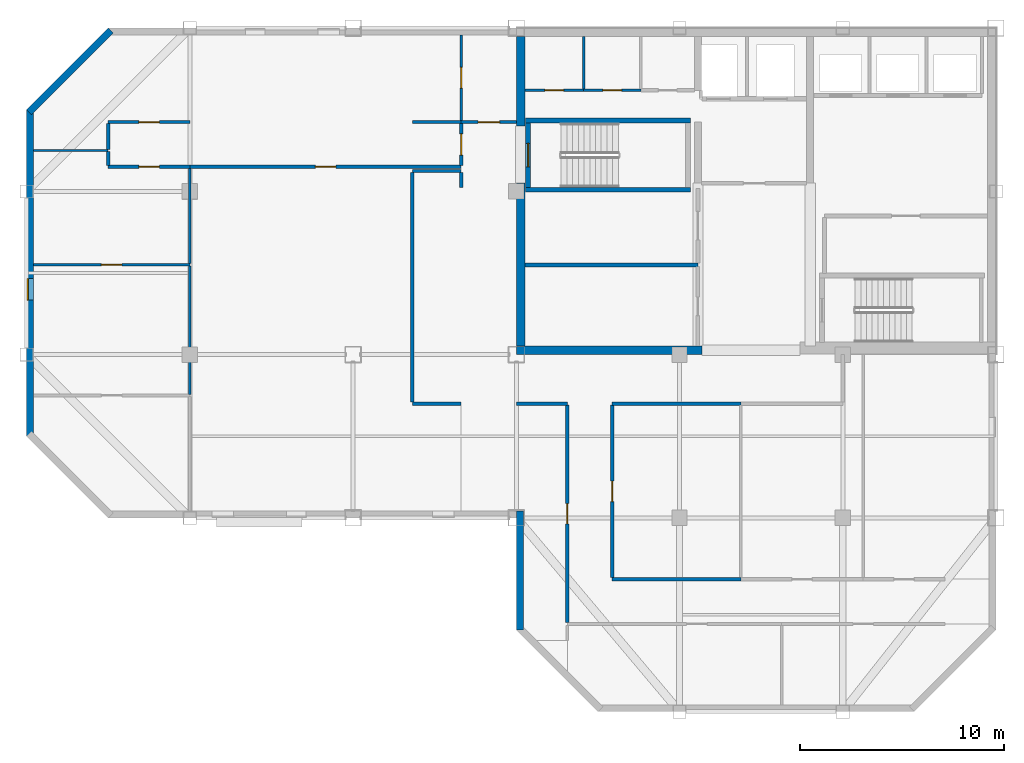
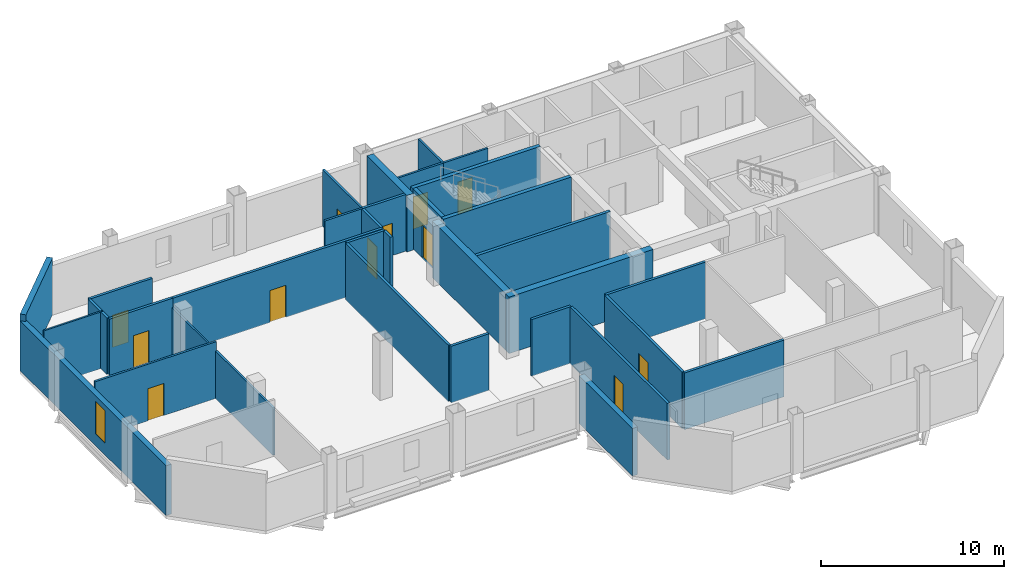
# One storey, part 2 of 7: 35 walls, 12 doors, 1 window, 13 openings.
"""IFC4 building model written with IfcOpenShell, lengths in metres."""

import ifcopenshell
import ifcopenshell.guid

model = None  # the IFC model being written
_history = None  # IfcOwnerHistory: only IFC2X3 demands one
_inside = {}  # id of a spatial element -> (the spatial element, [elements in it])
_under = {}  # id of a project, library or spatial element -> (it, [spatial elements below it])
_declared = {}  # id of a project -> (the project, [libraries it declares])
_typed = {}  # id of a type object -> (the type object, [elements of that type])
_made_of = {}  # id of a material, layer set ... -> (it, [elements and type objects made of it])


def new_model(schema):
    """Start an empty IFC model of exactly this schema.

    Asked for "IFC4X3", IfcOpenShell would pick the latest addendum, in which some entities
    have other attributes; the version numbers below select the first issue.
    IFC2X3 requires an IfcOwnerHistory on every rooted entity: one is made here for all.
    """
    global model, _history
    if schema == "IFC4X3":
        model = ifcopenshell.file(schema_version=(4, 3, 0, 0))
    else:
        model = ifcopenshell.file(schema=schema)
    _inside.clear()
    _under.clear()
    _declared.clear()
    _typed.clear()
    _made_of.clear()
    _history = None
    if model.schema == "IFC2X3":
        org = make("IfcOrganization", Name="unknown")
        user = make(
            "IfcPersonAndOrganization",
            ThePerson=make("IfcPerson", FamilyName="unknown"),
            TheOrganization=org,
        )
        app = make(
            "IfcApplication",
            ApplicationDeveloper=org,
            Version="unknown",
            ApplicationFullName="unknown",
            ApplicationIdentifier="unknown",
        )
        _history = make(
            "IfcOwnerHistory",
            OwningUser=user,
            OwningApplication=app,
            ChangeAction="ADDED",
            CreationDate=0,
        )
    return model


def make(cls, **values):
    """One entity of the class cls with the attributes given. An attribute that is None is left unset."""
    return model.create_entity(
        cls, **{name: value for name, value in values.items() if value is not None}
    )


def rooted(cls, **values):
    """An entity with a GlobalId (a new one), such as an element, a storey or a relation."""
    return make(cls, GlobalId=ifcopenshell.guid.new(), OwnerHistory=_history, **values)


def si_unit(unit_type, name, prefix=None):
    """IfcSIUnit, for example si_unit("LENGTHUNIT", "METRE", prefix="MILLI")."""
    return make("IfcSIUnit", UnitType=unit_type, Prefix=prefix, Name=name)


def assignment(units):
    """IfcUnitAssignment: the units of a project."""
    return None if units is None else make("IfcUnitAssignment", Units=units)


def point(xyz):
    """IfcCartesianPoint."""
    return None if xyz is None else make("IfcCartesianPoint", Coordinates=xyz)


def direction(xyz):
    """IfcDirection."""
    return None if xyz is None else make("IfcDirection", DirectionRatios=xyz)


def frame(location, z_axis=None, x_axis=None):
    """IfcAxis2Placement3D, a coordinate frame: its origin and axes. An axis left out is left unset."""
    return make(
        "IfcAxis2Placement3D",
        Location=point(location),
        Axis=direction(z_axis),
        RefDirection=direction(x_axis),
    )


def frame_2d(location, x_axis=None):
    """IfcAxis2Placement2D, a coordinate frame in the plane: its origin and x axis."""
    return make(
        "IfcAxis2Placement2D", Location=point(location), RefDirection=direction(x_axis)
    )


def origin():
    """The frame at (0, 0, 0) with its axes left unset."""
    return frame((0.0, 0.0, 0.0))


def place(relative_to, where):
    """IfcLocalPlacement: puts the frame where relative to a parent placement (None: the world)."""
    return make(
        "IfcLocalPlacement", PlacementRelTo=relative_to, RelativePlacement=where
    )


def context(
    kind, dimensions, precision=None, world=None, true_north=None, identifier=None
):
    """IfcGeometricRepresentationContext, for example the 3D "Model" context."""
    return make(
        "IfcGeometricRepresentationContext",
        ContextIdentifier=identifier,
        ContextType=kind,
        CoordinateSpaceDimension=dimensions,
        Precision=precision,
        WorldCoordinateSystem=world,
        TrueNorth=true_north,
    )


def subcontext(parent, identifier, kind, view, scale=None):
    """IfcGeometricRepresentationSubContext, for example "Body" below "Model"."""
    return make(
        "IfcGeometricRepresentationSubContext",
        ContextIdentifier=identifier,
        ContextType=kind,
        ParentContext=parent,
        TargetScale=scale,
        TargetView=view,
    )


def project(units=None, contexts=None):
    """IfcProject with its units and contexts."""
    return rooted(
        "IfcProject",
        Name="project",
        RepresentationContexts=contexts,
        UnitsInContext=assignment(units),
    )


def spatial(cls, under=None, at=None, **own):
    """A site, building, storey or space (cls), placed at a placement, below another one or the project."""
    s = rooted(cls, ObjectPlacement=at, **own)
    if under is not None:
        _under.setdefault(under.id(), (under, []))[1].append(s)
    return s


def profile(cls, at=None, kind="AREA", **sizes):
    """A parametric profile (cls). Its sizes go by their IFC names, for example OverallWidth=200.0."""
    return make(cls, ProfileType=kind, Position=at, **sizes)


def rectangle(**sizes):
    """IfcRectangleProfileDef."""
    return profile("IfcRectangleProfileDef", **sizes)


def extrude(swept, where, along, depth):
    """IfcExtrudedAreaSolid: the profile swept, set in the frame where, extruded along a direction by depth."""
    return make(
        "IfcExtrudedAreaSolid",
        SweptArea=swept,
        Position=where,
        ExtrudedDirection=direction(along),
        Depth=depth,
    )


def shape(context_of_items, identifier, shape_type, items):
    """IfcShapeRepresentation: the items that make up one representation, for example the "Body"."""
    return make(
        "IfcShapeRepresentation",
        ContextOfItems=context_of_items,
        RepresentationIdentifier=identifier,
        RepresentationType=shape_type,
        Items=items,
    )


def material(Name=None, Category=None):
    """IfcMaterial."""
    return make("IfcMaterial", Name=Name, Category=Category)


def layer(
    of_material, thickness, ventilated=None, Name=None, Category=None, Priority=None
):
    """IfcMaterialLayer: one layer of a wall or slab, of a material (None: an air gap)."""
    return make(
        "IfcMaterialLayer",
        Material=of_material,
        LayerThickness=thickness,
        IsVentilated=ventilated,
        Name=Name,
        Category=Category,
        Priority=Priority,
    )


def layer_set(layers, Name=None):
    """IfcMaterialLayerSet."""
    return make("IfcMaterialLayerSet", MaterialLayers=layers, LayerSetName=Name)


def made_of(thing, what):
    """Note that an element or type object is made of a material, layer set ...; save() writes the relation."""
    if what is not None:
        _made_of.setdefault(what.id(), (what, []))[1].append(thing)
    return thing


def type_object(cls, material=None, **own):
    """A type object (cls), such as IfcWallType, which elements share."""
    return made_of(rooted(cls, **own), material)


def element(
    cls,
    number,
    at=None,
    inside=None,
    cuts=None,
    type_object=None,
    material=None,
    context=None,
    identifier="Body",
    shape_type=None,
    held_by="IfcProductDefinitionShape",
    body=None,
    shapes=None,
    **own,
):
    """One element of the class cls, such as IfcWall. Its Tag is "e" and its number.

    at: its placement. inside: the storey or other place that contains it. cuts: it is an
    opening in that element (IfcRelVoidsElement). A single representation is given by context,
    identifier, shape_type and body (its items); several are given by shapes. held_by: the class
    of the entity that holds the representations. save() writes the other relations.
    """
    e = rooted(cls, Tag="e%d" % number, ObjectPlacement=at, **own)
    if body is not None:
        shapes = [shape(context, identifier, shape_type, body)]
    if shapes is not None:
        e.Representation = make(held_by, Representations=shapes)
    if inside is not None:
        _inside.setdefault(inside.id(), (inside, []))[1].append(e)
    if cuts is not None:
        rooted(
            "IfcRelVoidsElement", RelatingBuildingElement=cuts, RelatedOpeningElement=e
        )
    if type_object is not None:
        _typed.setdefault(type_object.id(), (type_object, []))[1].append(e)
    return made_of(e, material)


def fill(opening, filler):
    """IfcRelFillsElement: the door or window that sits in an opening."""
    return rooted(
        "IfcRelFillsElement",
        RelatingOpeningElement=opening,
        RelatedBuildingElement=filler,
    )


def aggregate(whole, parts):
    """IfcRelAggregates: a whole, such as a stair, and the parts it consists of."""
    return rooted("IfcRelAggregates", RelatingObject=whole, RelatedObjects=parts)


def save(model, path):
    """Write the relations noted so far, then the file.

    IfcRelAggregates (storeys below a building ...), IfcRelContainedInSpatialStructure (elements
    in a storey), IfcRelDefinesByType, IfcRelAssociatesMaterial and IfcRelDeclares: one each for
    every whole, place, type object, material and project.
    """
    for whole, parts in _under.values():
        aggregate(whole, parts)
    for where, things in _inside.values():
        rooted(
            "IfcRelContainedInSpatialStructure",
            RelatedElements=things,
            RelatingStructure=where,
        )
    for kind, things in _typed.values():
        rooted("IfcRelDefinesByType", RelatedObjects=things, RelatingType=kind)
    for what, things in _made_of.values():
        rooted("IfcRelAssociatesMaterial", RelatedObjects=things, RelatingMaterial=what)
    for by, libraries in _declared.values():
        rooted("IfcRelDeclares", RelatingContext=by, RelatedDefinitions=libraries)
    model.write(path)


model = new_model("IFC4")

# Units and contexts
model_context = context("Model", 3, precision=1e-05, world=origin(), true_north=direction((0.0, 1.0)))
body_context = subcontext(model_context, "Body", "Model", "MODEL_VIEW")
ifc_project = project(units=[si_unit("LENGTHUNIT", "METRE"), si_unit("AREAUNIT", "SQUARE_METRE"), si_unit("VOLUMEUNIT", "CUBIC_METRE"), si_unit("PLANEANGLEUNIT", "RADIAN"), si_unit("MASSUNIT", "GRAM", prefix="KILO")], contexts=[model_context])

# Site, building, storey
site_placement = place(None, origin())
site = spatial("IfcSite", under=ifc_project, at=site_placement, CompositionType="ELEMENT")
building_placement = place(site_placement, origin())
building = spatial("IfcBuilding", under=site, at=building_placement, Name="Qianrong Seaharbour Tower", CompositionType="ELEMENT")
storey_placement = place(building_placement, frame((0.0, 0.0, 335.199951171875)))
storey = spatial("IfcBuildingStorey", under=building, at=storey_placement, Name="L81", CompositionType="ELEMENT", Elevation=335.199951171875)

# Walls
ifc_material_1 = material(Name="Concrete C50/60", Category="concrete")
ifc_layer_1 = layer(ifc_material_1, 0.419921875)
ifc_layer_set_1 = layer_set([ifc_layer_1], Name="Concrete C50/60")
wall_type_1 = type_object("IfcWallType", Name="WALL-CORE-420", PredefinedType="SHEAR", material=ifc_layer_set_1)
wall_1_placement = place(storey_placement, frame((40.7099609375, 36.419921875, 0.0), z_axis=(0.0, 0.0, 1.0), x_axis=(0.0, 1.0, 0.0)))
element("IfcWall", 1, at=wall_1_placement, inside=storey, type_object=wall_type_1, Name="L81 West Core Shear Wall South", PredefinedType="SHEAR", context=body_context, shape_type="SweptSolid", body=[
    extrude(rectangle(XDim=7.97998046875, YDim=0.419921875, at=frame_2d((3.989990234375, 0.0))), origin(), (0.0, 0.0, 1.0), 3.78515625),
])
wall_2_placement = place(storey_placement, frame((40.7099609375, 47.199951171875, 0.0), z_axis=(0.0, 0.0, 1.0), x_axis=(0.0, 1.0, 0.0)))
element("IfcWall", 2, at=wall_2_placement, inside=storey, type_object=wall_type_1, Name="L81 West Core Shear Wall North", PredefinedType="SHEAR", context=body_context, shape_type="SweptSolid", body=[
    extrude(rectangle(XDim=4.380126953125, YDim=0.419921875, at=frame_2d((2.18994140625, 0.0))), origin(), (0.0, 0.0, 1.0), 3.78515625),
])
wall_3_placement = place(storey_placement, frame((40.5, 36.2099609375, 0.0), z_axis=(0.0, 0.0, 1.0), x_axis=(1.0, 0.0, 0.0)))
element("IfcWall", 3, at=wall_3_placement, inside=storey, type_object=wall_type_1, Name="L81 South Core Shear Wall S1", PredefinedType="SHEAR", context=body_context, shape_type="SweptSolid", body=[
    extrude(rectangle(XDim=9.10009765625, YDim=0.419921875, at=frame_2d((4.550048828125, 0.0))), origin(), (0.0, 0.0, 1.0), 3.78515625),
])

# Wall, opening, door
ifc_material_2 = material(Name="Fire-rated acoustic gypsum board partition")
ifc_layer_2 = layer(ifc_material_2, 0.1650390625)
ifc_layer_set_2 = layer_set([ifc_layer_2], Name="Fire-rated acoustic gypsum board partition")
wall_type_2 = type_object("IfcWallType", Name="WALL-CORR-PART-165", PredefinedType="PARTITIONING", material=ifc_layer_set_2)
wall_4_placement = place(storey_placement, frame((37.800048828125, 47.39990234375, 0.0), z_axis=(0.0, 0.0, 1.0), x_axis=(1.0, 0.0, 0.0)))
wall_4 = element("IfcWall", 4, at=wall_4_placement, inside=storey, type_object=wall_type_2, Name="L81 Interior Partition Wall 001", PredefinedType="PARTITIONING", context=body_context, shape_type="SweptSolid", body=[
    extrude(rectangle(XDim=2.699951171875, YDim=0.1650390625, at=frame_2d((1.35009765625, 0.0))), origin(), (0.0, 0.0, 1.0), 3.78515625),
])
opening_1_placement = place(wall_4_placement, frame((0.824951171875, 0.0, 0.0)))
opening_1 = element("IfcOpeningElement", 5, at=opening_1_placement, cuts=wall_4, Name="Opening DC-01", PredefinedType="OPENING", context=body_context, shape_type="SweptSolid", body=[
    extrude(rectangle(XDim=1.050048828125, YDim=2.14990234375, at=frame_2d((0.52490234375, 1.074951171875))), frame((0.0, 0.092529296875, 0.0), z_axis=(0.0, -1.0, 0.0), x_axis=(1.0, 0.0, 0.0)), (0.0, 0.0, 1.0), 0.18505859375),
])
ifc_material_3 = material(Name="Acoustic timber and galvanized steel fire door assembly", Category="steel")
door_type_1 = type_object("IfcDoorType", Name="DOOR-CORR-FD60-1050x2150", OperationType="NOTDEFINED", PredefinedType="DOOR", material=ifc_material_3)
door_1_placement = place(opening_1_placement, origin())
door_1 = element("IfcDoor", 6, at=door_1_placement, inside=storey, type_object=door_type_1, Name="L81 Smokeproof Stair Vestibule ST-1 Door", OperationType="SINGLE_SWING_RIGHT", OverallHeight=2.14990234375, OverallWidth=1.050048828125, PredefinedType="DOOR", context=body_context, shape_type="SweptSolid", body=[
    extrude(rectangle(XDim=1.050048828125, YDim=2.14990234375, at=frame_2d((0.52490234375, 1.074951171875))), frame((0.0, 0.02490234375, 0.0), z_axis=(0.0, -1.0, 0.0), x_axis=(1.0, 0.0, 0.0)), (0.0, 0.0, 1.0), 0.050048828125),
])
fill(opening_1, door_1)

wall_5_placement = place(storey_placement, frame((37.800048828125, 45.2744140625, 0.0), z_axis=(0.0, 0.0, 1.0), x_axis=(0.0, 1.0, 0.0)))
wall_5 = element("IfcWall", 7, at=wall_5_placement, inside=storey, type_object=wall_type_2, Name="L81 Interior Partition Wall 002", PredefinedType="PARTITIONING", context=body_context, shape_type="SweptSolid", body=[
    extrude(rectangle(XDim=2.051025390625, YDim=0.1650390625, at=frame_2d((1.025390625, 0.0))), origin(), (0.0, 0.0, 1.0), 3.78515625),
])
opening_2_placement = place(wall_5_placement, frame((0.50048828125, 0.0, 0.0)))
opening_2 = element("IfcOpeningElement", 8, at=opening_2_placement, cuts=wall_5, Name="Opening DC-01", PredefinedType="OPENING", context=body_context, shape_type="SweptSolid", body=[
    extrude(rectangle(XDim=1.050048828125, YDim=2.14990234375, at=frame_2d((0.52490234375, 1.074951171875))), frame((0.0, 0.092529296875, 0.0), z_axis=(0.0, -1.0, 0.0), x_axis=(1.0, 0.0, 0.0)), (0.0, 0.0, 1.0), 0.18505859375),
])
door_2_placement = place(opening_2_placement, origin())
door_2 = element("IfcDoor", 9, at=door_2_placement, inside=storey, type_object=door_type_1, Name="L81 Smokeproof Stair Vestibule ST-1 Door", OperationType="SINGLE_SWING_LEFT", OverallHeight=2.14990234375, OverallWidth=1.050048828125, PredefinedType="DOOR", context=body_context, shape_type="SweptSolid", body=[
    extrude(rectangle(XDim=1.050048828125, YDim=2.14990234375, at=frame_2d((0.52490234375, 1.074951171875))), frame((0.0, 0.02490234375, 0.0), z_axis=(0.0, -1.0, 0.0), x_axis=(1.0, 0.0, 0.0)), (0.0, 0.0, 1.0), 0.050048828125),
])
fill(opening_2, door_2)

# Wall
wall_6_placement = place(storey_placement, frame((37.800048828125, 44.199951171875, 0.0), z_axis=(0.0, 0.0, 1.0), x_axis=(0.0, 1.0, 0.0)))
element("IfcWall", 10, at=wall_6_placement, inside=storey, type_object=wall_type_2, Name="L81 Interior Partition Wall 003", PredefinedType="PARTITIONING", context=body_context, shape_type="SweptSolid", body=[
    extrude(rectangle(XDim=0.7255859375, YDim=0.1650390625, at=frame_2d((0.36279296875, 0.0))), origin(), (0.0, 0.0, 1.0), 3.78515625),
])

# Wall, opening, door
wall_7_placement = place(storey_placement, frame((37.800048828125, 45.199951171875, 0.0), z_axis=(0.0, 0.0, 1.0), x_axis=(-1.0, 0.0, 0.0)))
wall_7 = element("IfcWall", 11, at=wall_7_placement, inside=storey, type_object=wall_type_2, Name="L81 Interior Partition Wall 017", PredefinedType="PARTITIONING", context=body_context, shape_type="SweptSolid", body=[
    extrude(rectangle(XDim=13.300048828125, YDim=0.1650390625, at=frame_2d((6.64990234375, 0.0))), origin(), (0.0, 0.0, 1.0), 3.78515625),
])
opening_3_placement = place(wall_7_placement, frame((6.14990234375, 0.0, 0.0)))
opening_3 = element("IfcOpeningElement", 12, at=opening_3_placement, cuts=wall_7, Name="Opening DO-01", PredefinedType="OPENING", context=body_context, shape_type="SweptSolid", body=[
    extrude(rectangle(XDim=1.0, YDim=2.14990234375, at=frame_2d((0.5, 1.074951171875))), frame((0.0, 0.092529296875, 0.0), z_axis=(0.0, -1.0, 0.0), x_axis=(1.0, 0.0, 0.0)), (0.0, 0.0, 1.0), 0.18505859375),
])
door_type_2 = type_object("IfcDoorType", Name="DOOR-OFFICE-1000x2150", OperationType="NOTDEFINED", PredefinedType="DOOR", material=ifc_material_3)
door_3_placement = place(opening_3_placement, origin())
door_3 = element("IfcDoor", 13, at=door_3_placement, inside=storey, type_object=door_type_2, Name="L81 Central Spine Open-Plan Office Door", OperationType="SINGLE_SWING_RIGHT", OverallHeight=2.14990234375, OverallWidth=1.0, PredefinedType="DOOR", context=body_context, shape_type="SweptSolid", body=[
    extrude(rectangle(XDim=1.0, YDim=2.14990234375, at=frame_2d((0.5, 1.074951171875))), frame((0.0, 0.02490234375, 0.0), z_axis=(0.0, -1.0, 0.0), x_axis=(1.0, 0.0, 0.0)), (0.0, 0.0, 1.0), 0.050048828125),
])
fill(opening_3, door_3)

wall_8_placement = place(storey_placement, frame((24.5, 45.199951171875, 0.0), z_axis=(0.0, 0.0, 1.0), x_axis=(-1.0, 0.0, 0.0)))
wall_8 = element("IfcWall", 14, at=wall_8_placement, inside=storey, type_object=wall_type_2, Name="L81 Interior Partition Wall 018", PredefinedType="PARTITIONING", context=body_context, shape_type="SweptSolid", body=[
    extrude(rectangle(XDim=4.0, YDim=0.1650390625, at=frame_2d((2.0, 0.0))), origin(), (0.0, 0.0, 1.0), 3.78515625),
])
opening_4_placement = place(wall_8_placement, frame((1.5, 0.0, 0.0)))
opening_4 = element("IfcOpeningElement", 15, at=opening_4_placement, cuts=wall_8, Name="Opening DO-01", PredefinedType="OPENING", context=body_context, shape_type="SweptSolid", body=[
    extrude(rectangle(XDim=1.0, YDim=2.14990234375, at=frame_2d((0.5, 1.074951171875))), frame((0.0, 0.092529296875, 0.0), z_axis=(0.0, -1.0, 0.0), x_axis=(1.0, 0.0, 0.0)), (0.0, 0.0, 1.0), 0.18505859375),
])
door_4_placement = place(opening_4_placement, origin())
door_4 = element("IfcDoor", 16, at=door_4_placement, inside=storey, type_object=door_type_2, Name="L81 Hospitality Dining Room 3 Door", OperationType="SINGLE_SWING_LEFT", OverallHeight=2.14990234375, OverallWidth=1.0, PredefinedType="DOOR", context=body_context, shape_type="SweptSolid", body=[
    extrude(rectangle(XDim=1.0, YDim=2.14990234375, at=frame_2d((0.5, 1.074951171875))), frame((0.0, 0.02490234375, 0.0), z_axis=(0.0, -1.0, 0.0), x_axis=(1.0, 0.0, 0.0)), (0.0, 0.0, 1.0), 0.050048828125),
])
fill(opening_4, door_4)

# Walls
wall_9_placement = place(storey_placement, frame((20.5, 45.2744140625, 0.0), z_axis=(0.0, 0.0, 1.0), x_axis=(0.0, 1.0, 0.0)))
element("IfcWall", 17, at=wall_9_placement, inside=storey, type_object=wall_type_2, Name="L81 Interior Partition Wall 019", PredefinedType="PARTITIONING", context=body_context, shape_type="SweptSolid", body=[
    extrude(rectangle(XDim=0.678466796875, YDim=0.1650390625, at=frame_2d((0.33935546875, 0.0))), origin(), (0.0, 0.0, 1.0), 3.78515625),
])
wall_10_placement = place(storey_placement, frame((20.5, 46.047119140625, 0.0), z_axis=(0.0, 0.0, 1.0), x_axis=(0.0, 1.0, 0.0)))
element("IfcWall", 18, at=wall_10_placement, inside=storey, type_object=wall_type_2, Name="L81 Interior Partition Wall 020", PredefinedType="PARTITIONING", context=body_context, shape_type="SweptSolid", body=[
    extrude(rectangle(XDim=1.2783203125, YDim=0.1650390625, at=frame_2d((0.63916015625, 0.0))), origin(), (0.0, 0.0, 1.0), 3.78515625),
])

# Wall, opening, door
wall_11_placement = place(storey_placement, frame((20.5, 47.39990234375, 0.0), z_axis=(0.0, 0.0, 1.0), x_axis=(1.0, 0.0, 0.0)))
wall_11 = element("IfcWall", 19, at=wall_11_placement, inside=storey, type_object=wall_type_2, Name="L81 Interior Partition Wall 021", PredefinedType="PARTITIONING", context=body_context, shape_type="SweptSolid", body=[
    extrude(rectangle(XDim=4.0, YDim=0.1650390625, at=frame_2d((2.0, 0.0))), origin(), (0.0, 0.0, 1.0), 3.78515625),
])
opening_5_placement = place(wall_11_placement, frame((1.5, 0.0, 0.0)))
opening_5 = element("IfcOpeningElement", 20, at=opening_5_placement, cuts=wall_11, Name="Opening DO-01", PredefinedType="OPENING", context=body_context, shape_type="SweptSolid", body=[
    extrude(rectangle(XDim=1.0, YDim=2.14990234375, at=frame_2d((0.5, 1.074951171875))), frame((0.0, 0.092529296875, 0.0), z_axis=(0.0, -1.0, 0.0), x_axis=(1.0, 0.0, 0.0)), (0.0, 0.0, 1.0), 0.18505859375),
])
door_5_placement = place(opening_5_placement, origin())
door_5 = element("IfcDoor", 21, at=door_5_placement, inside=storey, type_object=door_type_2, Name="L81 Quiet Sitting Lounge 4 Door", OperationType="SINGLE_SWING_RIGHT", OverallHeight=2.14990234375, OverallWidth=1.0, PredefinedType="DOOR", context=body_context, shape_type="SweptSolid", body=[
    extrude(rectangle(XDim=1.0, YDim=2.14990234375, at=frame_2d((0.5, 1.074951171875))), frame((0.0, 0.02490234375, 0.0), z_axis=(0.0, -1.0, 0.0), x_axis=(1.0, 0.0, 0.0)), (0.0, 0.0, 1.0), 0.050048828125),
])
fill(opening_5, door_5)

# Walls
wall_12_placement = place(storey_placement, frame((37.800048828125, 33.60009765625, 0.0), z_axis=(0.0, 0.0, 1.0), x_axis=(-1.0, 0.0, 0.0)))
element("IfcWall", 22, at=wall_12_placement, inside=storey, type_object=wall_type_2, Name="L81 Interior Partition Wall 022", PredefinedType="PARTITIONING", context=body_context, shape_type="SweptSolid", body=[
    extrude(rectangle(XDim=2.400146484375, YDim=0.1650390625, at=frame_2d((1.2001953125, 0.0))), origin(), (0.0, 0.0, 1.0), 3.78515625),
])
wall_13_placement = place(storey_placement, frame((35.39990234375, 33.674560546875, 0.0), z_axis=(0.0, 0.0, 1.0), x_axis=(0.0, 1.0, 0.0)))
element("IfcWall", 23, at=wall_13_placement, inside=storey, type_object=wall_type_2, Name="L81 Interior Partition Wall 023", PredefinedType="PARTITIONING", context=body_context, shape_type="SweptSolid", body=[
    extrude(rectangle(XDim=11.2509765625, YDim=0.1650390625, at=frame_2d((5.62548828125, 0.0))), origin(), (0.0, 0.0, 1.0), 3.78515625),
])
wall_14_placement = place(storey_placement, frame((35.39990234375, 45.0, 0.0), z_axis=(0.0, 0.0, 1.0), x_axis=(1.0, 0.0, 0.0)))
element("IfcWall", 24, at=wall_14_placement, inside=storey, type_object=wall_type_2, Name="L81 Interior Partition Wall 024", PredefinedType="PARTITIONING", context=body_context, shape_type="SweptSolid", body=[
    extrude(rectangle(XDim=2.400146484375, YDim=0.1650390625, at=frame_2d((1.2001953125, 0.0))), origin(), (0.0, 0.0, 1.0), 3.78515625),
])
wall_15_placement = place(storey_placement, frame((51.5, 33.60009765625, 0.0), z_axis=(0.0, 0.0, 1.0), x_axis=(-1.0, 0.0, 0.0)))
element("IfcWall", 25, at=wall_15_placement, inside=storey, type_object=wall_type_2, Name="L81 Interior Partition Wall 025", PredefinedType="PARTITIONING", context=body_context, shape_type="SweptSolid", body=[
    extrude(rectangle(XDim=6.300048828125, YDim=0.1650390625, at=frame_2d((3.14990234375, 0.0))), origin(), (0.0, 0.0, 1.0), 3.78515625),
])
wall_16_placement = place(storey_placement, frame((43.0, 33.60009765625, 0.0), z_axis=(0.0, 0.0, 1.0), x_axis=(-1.0, 0.0, 0.0)))
element("IfcWall", 26, at=wall_16_placement, inside=storey, type_object=wall_type_2, Name="L81 Interior Partition Wall 028", PredefinedType="PARTITIONING", context=body_context, shape_type="SweptSolid", body=[
    extrude(rectangle(XDim=2.5, YDim=0.1650390625, at=frame_2d((1.25, 0.0))), origin(), (0.0, 0.0, 1.0), 3.78515625),
])

# Wall, opening, door
wall_17_placement = place(storey_placement, frame((45.199951171875, 33.525390625, 0.0), z_axis=(0.0, 0.0, 1.0), x_axis=(0.0, -1.0, 0.0)))
wall_17 = element("IfcWall", 27, at=wall_17_placement, inside=storey, type_object=wall_type_2, Name="L81 Interior Partition Wall 029", PredefinedType="PARTITIONING", context=body_context, shape_type="SweptSolid", body=[
    extrude(rectangle(XDim=8.450927734375, YDim=0.1650390625, at=frame_2d((4.2255859375, 0.0))), origin(), (0.0, 0.0, 1.0), 3.78515625),
])
opening_6_placement = place(wall_17_placement, frame((3.7255859375, 0.0, 0.0)))
opening_6 = element("IfcOpeningElement", 28, at=opening_6_placement, cuts=wall_17, Name="Opening DO-01", PredefinedType="OPENING", context=body_context, shape_type="SweptSolid", body=[
    extrude(rectangle(XDim=1.0, YDim=2.14990234375, at=frame_2d((0.5, 1.074951171875))), frame((0.0, 0.092529296875, 0.0), z_axis=(0.0, -1.0, 0.0), x_axis=(1.0, 0.0, 0.0)), (0.0, 0.0, 1.0), 0.18505859375),
])
door_6_placement = place(opening_6_placement, origin())
door_6 = element("IfcDoor", 29, at=door_6_placement, inside=storey, type_object=door_type_2, Name="L81 East Harbour Dining Salon 1 Door", OperationType="SINGLE_SWING_LEFT", OverallHeight=2.14990234375, OverallWidth=1.0, PredefinedType="DOOR", context=body_context, shape_type="SweptSolid", body=[
    extrude(rectangle(XDim=1.0, YDim=2.14990234375, at=frame_2d((0.5, 1.074951171875))), frame((0.0, 0.02490234375, 0.0), z_axis=(0.0, -1.0, 0.0), x_axis=(1.0, 0.0, 0.0)), (0.0, 0.0, 1.0), 0.050048828125),
])
fill(opening_6, door_6)

wall_18_placement = place(storey_placement, frame((43.0, 22.87451171875, 0.0), z_axis=(0.0, 0.0, 1.0), x_axis=(0.0, 1.0, 0.0)))
wall_18 = element("IfcWall", 30, at=wall_18_placement, inside=storey, type_object=wall_type_2, Name="L81 Interior Partition Wall 030", PredefinedType="PARTITIONING", context=body_context, shape_type="SweptSolid", body=[
    extrude(rectangle(XDim=10.65087890625, YDim=0.1650390625, at=frame_2d((5.325439453125, 0.0))), origin(), (0.0, 0.0, 1.0), 3.78515625),
])
opening_7_placement = place(wall_18_placement, frame((4.825439453125, 0.0, 0.0)))
opening_7 = element("IfcOpeningElement", 31, at=opening_7_placement, cuts=wall_18, Name="Opening DO-01", PredefinedType="OPENING", context=body_context, shape_type="SweptSolid", body=[
    extrude(rectangle(XDim=1.0, YDim=2.14990234375, at=frame_2d((0.5, 1.074951171875))), frame((0.0, 0.092529296875, 0.0), z_axis=(0.0, -1.0, 0.0), x_axis=(1.0, 0.0, 0.0)), (0.0, 0.0, 1.0), 0.18505859375),
])
door_7_placement = place(opening_7_placement, origin())
door_7 = element("IfcDoor", 32, at=door_7_placement, inside=storey, type_object=door_type_2, Name="L81 Concierge Office 2 Door", OperationType="SINGLE_SWING_RIGHT", OverallHeight=2.14990234375, OverallWidth=1.0, PredefinedType="DOOR", context=body_context, shape_type="SweptSolid", body=[
    extrude(rectangle(XDim=1.0, YDim=2.14990234375, at=frame_2d((0.5, 1.074951171875))), frame((0.0, 0.02490234375, 0.0), z_axis=(0.0, -1.0, 0.0), x_axis=(1.0, 0.0, 0.0)), (0.0, 0.0, 1.0), 0.050048828125),
])
fill(opening_7, door_7)

# Walls
wall_19_placement = place(storey_placement, frame((45.199951171875, 25.0, 0.0), z_axis=(0.0, 0.0, 1.0), x_axis=(1.0, 0.0, 0.0)))
element("IfcWall", 33, at=wall_19_placement, inside=storey, type_object=wall_type_2, Name="L81 Interior Partition Wall 032", PredefinedType="PARTITIONING", context=body_context, shape_type="SweptSolid", body=[
    extrude(rectangle(XDim=6.300048828125, YDim=0.1650390625, at=frame_2d((3.14990234375, 0.0))), origin(), (0.0, 0.0, 1.0), 3.78515625),
])
ifc_material_4 = material(Name="Demountable aluminium-framed acoustic office partition", Category="aluminium")
ifc_layer_3 = layer(ifc_material_4, 0.110107421875)
ifc_layer_set_3 = layer_set([ifc_layer_3], Name="Demountable aluminium-framed acoustic office partition")
wall_type_3 = type_object("IfcWallType", Name="WALL-DEMOUNT-110", PredefinedType="MOVABLE", material=ifc_layer_set_3)
wall_20_placement = place(storey_placement, frame((24.5, 40.45703125, 0.0), z_axis=(0.0, 0.0, 1.0), x_axis=(0.0, 1.0, 0.0)))
element("IfcWall", 34, at=wall_20_placement, inside=storey, type_object=wall_type_3, Name="L81 Interior Partition Wall 039", PredefinedType="MOVABLE", context=body_context, shape_type="SweptSolid", body=[
    extrude(rectangle(XDim=4.66845703125, YDim=0.110107421875, at=frame_2d((2.334228515625, 0.0))), origin(), (0.0, 0.0, 1.0), 3.177001953125),
])
wall_21_placement = place(storey_placement, frame((16.83203125, 46.0, 0.0), z_axis=(0.0, 0.0, 1.0), x_axis=(1.0, 0.0, 0.0)))
element("IfcWall", 35, at=wall_21_placement, inside=storey, type_object=wall_type_3, Name="L81 Interior Partition Wall 042", PredefinedType="MOVABLE", context=body_context, shape_type="SweptSolid", body=[
    extrude(rectangle(XDim=3.66796875, YDim=0.110107421875, at=frame_2d((1.833984375, 0.0))), origin(), (0.0, 0.0, 1.0), 3.78515625),
])
ifc_material_5 = material(Name="Unitised buff brick on Precast concrete C45/55", Category="masonry")
ifc_layer_4 = layer(ifc_material_5, 0.340087890625)
ifc_layer_set_4 = layer_set([ifc_layer_4], Name="Unitised buff brick on Precast concrete C45/55")
wall_type_4 = type_object("IfcWallType", Name="WALL-EXT-BRICK-BUFF-340", PredefinedType="SOLIDWALL", material=ifc_layer_set_4)
wall_22_placement = place(storey_placement, frame((40.669921875, 22.5, 0.0), z_axis=(0.0, 0.0, 1.0), x_axis=(0.0, 1.0, 0.0)))
element("IfcWall", 36, at=wall_22_placement, inside=storey, type_object=wall_type_4, Name="L81 Exterior Masonry Facade Wall REENTRANT_WEST", PredefinedType="SOLIDWALL", context=body_context, shape_type="SweptSolid", body=[
    extrude(rectangle(XDim=5.840087890625, YDim=0.340087890625, at=frame_2d((2.919921875, 0.0))), origin(), (0.0, 0.0, 1.0), 3.18505859375),
])

# Wall, opening, window
wall_23_placement = place(storey_placement, frame((16.669921875, 32.0, 0.0), z_axis=(0.0, 0.0, 1.0), x_axis=(0.0, 1.0, 0.0)))
wall_23 = element("IfcWall", 37, at=wall_23_placement, inside=storey, type_object=wall_type_4, Name="L81 Exterior Masonry Facade Wall WEST_TIP", PredefinedType="SOLIDWALL", context=body_context, shape_type="SweptSolid", body=[
    extrude(rectangle(XDim=16.0, YDim=0.340087890625, at=frame_2d((8.0, 0.0))), origin(), (0.0, 0.0, 1.0), 3.3349609375),
])
opening_8_placement = place(wall_23_placement, frame((6.675048828125, 0.0, 0.800048828125)))
opening_8 = element("IfcOpeningElement", 38, at=opening_8_placement, cuts=wall_23, Name="Opening WN-14", PredefinedType="OPENING", context=body_context, shape_type="SweptSolid", body=[
    extrude(rectangle(XDim=1.050048828125, YDim=2.14990234375, at=frame_2d((0.52490234375, 1.074951171875))), frame((0.0, 0.18017578125, 0.0), z_axis=(0.0, -1.0, 0.0), x_axis=(1.0, 0.0, 0.0)), (0.0, 0.0, 1.0), 0.360107421875),
])
ifc_material_6 = material(Name="Insulated low-e double glazing in thermally broken aluminium 6063-T6 frame", Category="aluminium")
window_type = type_object("IfcWindowType", Name="WIN-NARROW-1050x2150", PartitioningType="SINGLE_PANEL", PredefinedType="WINDOW", material=ifc_material_6)
window_placement = place(opening_8_placement, origin())
window = element("IfcWindow", 39, at=window_placement, inside=storey, type_object=window_type, Name="L81 Deep-Set Punched Window 03.02", OverallHeight=2.14990234375, OverallWidth=1.050048828125, PartitioningType="SINGLE_PANEL", PredefinedType="WINDOW", context=body_context, shape_type="SweptSolid", body=[
    extrude(rectangle(XDim=1.050048828125, YDim=2.14990234375, at=frame_2d((0.52490234375, 1.074951171875))), frame((0.0, 0.150146484375, 0.0), z_axis=(0.0, -1.0, 0.0), x_axis=(1.0, 0.0, 0.0)), (0.0, 0.0, 1.0), 0.06005859375),
])
fill(opening_8, window)

# Walls
wall_24_placement = place(storey_placement, frame((16.6201171875, 47.8798828125, 0.0), z_axis=(0.0, 0.0, 1.0), x_axis=(0.707106781187, 0.707106781187, 0.0)))
element("IfcWall", 40, at=wall_24_placement, inside=storey, type_object=wall_type_4, Name="L81 Exterior Masonry Facade Wall E04", PredefinedType="SOLIDWALL", context=body_context, shape_type="SweptSolid", body=[
    extrude(rectangle(XDim=5.65673828125, YDim=0.340087890625, at=frame_2d((2.828369140625, 0.0))), origin(), (0.0, 0.0, 1.0), 3.78515625),
])
ifc_material_7 = material(Name="Double fire-rated gypsum board acoustic partition")
ifc_layer_5 = layer(ifc_material_7, 0.18994140625)
ifc_layer_set_5 = layer_set([ifc_layer_5], Name="Double fire-rated gypsum board acoustic partition")
wall_type_5 = type_object("IfcWallType", Name="WALL-FIRE-PART-190", PredefinedType="PARTITIONING", material=ifc_layer_set_5)
wall_25_placement = place(storey_placement, frame((40.919921875, 40.39990234375, 0.0), z_axis=(0.0, 0.0, 1.0), x_axis=(1.0, 0.0, 0.0)))
element("IfcWall", 41, at=wall_25_placement, inside=storey, type_object=wall_type_5, Name="L81 Interior Partition Wall 013", PredefinedType="PARTITIONING", context=body_context, shape_type="SweptSolid", body=[
    extrude(rectangle(XDim=8.47998046875, YDim=0.18994140625, at=frame_2d((4.239990234375, 0.0))), origin(), (0.0, 0.0, 1.0), 3.78515625),
])
ifc_layer_6 = layer(ifc_material_1, 0.239990234375)
ifc_layer_set_6 = layer_set([ifc_layer_6], Name="Concrete C50/60")
wall_type_6 = type_object("IfcWallType", Name="WALL-SHAFT-RC240", PredefinedType="SOLIDWALL", material=ifc_layer_set_6)
for number, where, z_axis, x_axis, name in (
    (42, (40.9599609375, 47.469970703125, 0.0), (0.0, 0.0, 1.0), (1.0, 0.0, 0.0), "L81 ST-1 Structural Stair Core Wall N"),
    (43, (49.0400390625, 44.080078125, 0.0), (0.0, 0.0, 1.0), (-1.0, 0.0, 0.0), "L81 ST-1 Structural Stair Core Wall S"),
):
    element("IfcWall", number, at=place(storey_placement, frame(where, z_axis=z_axis, x_axis=x_axis)), inside=storey, type_object=wall_type_6, Name=name, PredefinedType="SOLIDWALL", context=body_context, shape_type="SweptSolid", body=[
        extrude(rectangle(XDim=8.080078125, YDim=0.239990234375, at=frame_2d((4.0400390625, 0.0))), origin(), (0.0, 0.0, 1.0), 4.0),
    ])

# Wall, opening, door
wall_26_placement = place(storey_placement, frame((41.080078125, 47.35009765625, 0.0), z_axis=(0.0, 0.0, 1.0), x_axis=(0.0, -1.0, 0.0)))
wall_26 = element("IfcWall", 44, at=wall_26_placement, inside=storey, type_object=wall_type_6, Name="L81 ST-1 Structural Stair Core Wall W", PredefinedType="SOLIDWALL", context=body_context, shape_type="SweptSolid", body=[
    extrude(rectangle(XDim=3.150146484375, YDim=0.239990234375, at=frame_2d((1.5751953125, 0.0))), origin(), (0.0, 0.0, 1.0), 4.0),
])
opening_9_placement = place(wall_26_placement, frame((1.0, 0.0, 0.0)))
opening_9 = element("IfcOpeningElement", 45, at=opening_9_placement, cuts=wall_26, Name="Opening SD-01", PredefinedType="OPENING", context=body_context, shape_type="SweptSolid", body=[
    extrude(rectangle(XDim=1.14990234375, YDim=2.199951171875, at=frame_2d((0.574951171875, 1.10009765625))), frame((0.0, 0.1298828125, 0.0), z_axis=(0.0, -1.0, 0.0), x_axis=(1.0, 0.0, 0.0)), (0.0, 0.0, 1.0), 0.260009765625),
])
door_type_3 = type_object("IfcDoorType", Name="DOOR-STAIR-FD60-1150x2200", OperationType="NOTDEFINED", PredefinedType="DOOR", material=ifc_material_3)
door_8_placement = place(opening_9_placement, origin())
door_8 = element("IfcDoor", 46, at=door_8_placement, inside=storey, type_object=door_type_3, Name="L81 ST-1 Protected Stair Door", OperationType="SINGLE_SWING_RIGHT", OverallHeight=2.199951171875, OverallWidth=1.14990234375, PredefinedType="DOOR", context=body_context, shape_type="SweptSolid", body=[
    extrude(rectangle(XDim=1.14990234375, YDim=2.199951171875, at=frame_2d((0.574951171875, 1.10009765625))), frame((0.0, 0.02490234375, 0.0), z_axis=(0.0, -1.0, 0.0), x_axis=(1.0, 0.0, 0.0)), (0.0, 0.0, 1.0), 0.050048828125),
])
fill(opening_9, door_8)

ifc_material_8 = material(Name="Water-resistant cement board sanitary partition")
ifc_layer_7 = layer(ifc_material_8, 0.1298828125)
ifc_layer_set_7 = layer_set([ifc_layer_7], Name="Water-resistant cement board sanitary partition")
wall_type_7 = type_object("IfcWallType", Name="WALL-WET-PART-130", PredefinedType="PARTITIONING", material=ifc_layer_set_7)
wall_27_placement = place(storey_placement, frame((37.800048828125, 47.474609375, 0.0), z_axis=(0.0, 0.0, 1.0), x_axis=(0.0, 1.0, 0.0)))
wall_27 = element("IfcWall", 47, at=wall_27_placement, inside=storey, type_object=wall_type_7, Name="L81 Interior Partition Wall 004", PredefinedType="PARTITIONING", context=body_context, shape_type="SweptSolid", body=[
    extrude(rectangle(XDim=4.193359375, YDim=0.1298828125, at=frame_2d((2.0966796875, 0.0))), origin(), (0.0, 0.0, 1.0), 3.78515625),
])
opening_10_placement = place(wall_27_placement, frame((1.5869140625, 0.0, 0.0)))
opening_10 = element("IfcOpeningElement", 48, at=opening_10_placement, cuts=wall_27, Name="Opening DAW-01", PredefinedType="OPENING", context=body_context, shape_type="SweptSolid", body=[
    extrude(rectangle(XDim=1.02001953125, YDim=2.14990234375, at=frame_2d((0.510009765625, 1.074951171875))), frame((0.0, 0.074951171875, 0.0), z_axis=(0.0, -1.0, 0.0), x_axis=(1.0, 0.0, 0.0)), (0.0, 0.0, 1.0), 0.14990234375),
])
door_type_4 = type_object("IfcDoorType", Name="DOOR-AWC-SLIDE-1020x2150", OperationType="SLIDING_TO_LEFT", PredefinedType="DOOR", material=ifc_material_3)
door_9_placement = place(opening_10_placement, origin())
door_9 = element("IfcDoor", 49, at=door_9_placement, inside=storey, type_object=door_type_4, Name="L81 Accessible Restroom WC Door", OperationType="SLIDING_TO_LEFT", OverallHeight=2.14990234375, OverallWidth=1.02001953125, PredefinedType="DOOR", context=body_context, shape_type="SweptSolid", body=[
    extrude(rectangle(XDim=1.02001953125, YDim=2.14990234375, at=frame_2d((0.510009765625, 1.074951171875))), frame((0.0, 0.02490234375, 0.0), z_axis=(0.0, -1.0, 0.0), x_axis=(1.0, 0.0, 0.0)), (0.0, 0.0, 1.0), 0.050048828125),
])
fill(opening_10, door_9)

# Wall
wall_28_placement = place(storey_placement, frame((37.800048828125, 47.39990234375, 0.0), z_axis=(0.0, 0.0, 1.0), x_axis=(-1.0, 0.0, 0.0)))
element("IfcWall", 50, at=wall_28_placement, inside=storey, type_object=wall_type_7, Name="L81 Interior Partition Wall 005", PredefinedType="PARTITIONING", context=body_context, shape_type="SweptSolid", body=[
    extrude(rectangle(XDim=2.400146484375, YDim=0.1298828125, at=frame_2d((1.2001953125, 0.0))), origin(), (0.0, 0.0, 1.0), 3.78515625),
])

# Wall, opening, door
wall_29_placement = place(storey_placement, frame((40.919921875, 48.949951171875, 0.0), z_axis=(0.0, 0.0, 1.0), x_axis=(1.0, 0.0, 0.0)))
wall_29 = element("IfcWall", 51, at=wall_29_placement, inside=storey, type_object=wall_type_7, Name="L81 Interior Partition Wall 006", PredefinedType="PARTITIONING", context=body_context, shape_type="SweptSolid", body=[
    extrude(rectangle(XDim=2.880126953125, YDim=0.1298828125, at=frame_2d((1.43994140625, 0.0))), origin(), (0.0, 0.0, 1.0), 3.78515625),
])
opening_11_placement = place(wall_29_placement, frame((0.97998046875, 0.0, 0.0)))
opening_11 = element("IfcOpeningElement", 52, at=opening_11_placement, cuts=wall_29, Name="Opening DW-01", PredefinedType="OPENING", context=body_context, shape_type="SweptSolid", body=[
    extrude(rectangle(XDim=0.919921875, YDim=2.14990234375, at=frame_2d((0.4599609375, 1.074951171875))), frame((0.0, 0.074951171875, 0.0), z_axis=(0.0, -1.0, 0.0), x_axis=(1.0, 0.0, 0.0)), (0.0, 0.0, 1.0), 0.14990234375),
])
door_type_5 = type_object("IfcDoorType", Name="DOOR-WC-920x2150", OperationType="NOTDEFINED", PredefinedType="DOOR", material=ifc_material_3)
door_10_placement = place(opening_11_placement, origin())
door_10 = element("IfcDoor", 53, at=door_10_placement, inside=storey, type_object=door_type_5, Name="L81 Male Restroom WC Door", OperationType="SINGLE_SWING_LEFT", OverallHeight=2.14990234375, OverallWidth=0.919921875, PredefinedType="DOOR", context=body_context, shape_type="SweptSolid", body=[
    extrude(rectangle(XDim=0.919921875, YDim=2.14990234375, at=frame_2d((0.4599609375, 1.074951171875))), frame((0.0, 0.02490234375, 0.0), z_axis=(0.0, -1.0, 0.0), x_axis=(1.0, 0.0, 0.0)), (0.0, 0.0, 1.0), 0.050048828125),
])
fill(opening_11, door_10)

wall_30_placement = place(storey_placement, frame((43.800048828125, 48.949951171875, 0.0), z_axis=(0.0, 0.0, 1.0), x_axis=(1.0, 0.0, 0.0)))
wall_30 = element("IfcWall", 54, at=wall_30_placement, inside=storey, type_object=wall_type_7, Name="L81 Interior Partition Wall 007", PredefinedType="PARTITIONING", context=body_context, shape_type="SweptSolid", body=[
    extrude(rectangle(XDim=2.800048828125, YDim=0.1298828125, at=frame_2d((1.39990234375, 0.0))), origin(), (0.0, 0.0, 1.0), 3.78515625),
])
opening_12_placement = place(wall_30_placement, frame((0.93994140625, 0.0, 0.0)))
opening_12 = element("IfcOpeningElement", 55, at=opening_12_placement, cuts=wall_30, Name="Opening DW-01", PredefinedType="OPENING", context=body_context, shape_type="SweptSolid", body=[
    extrude(rectangle(XDim=0.919921875, YDim=2.14990234375, at=frame_2d((0.4599609375, 1.074951171875))), frame((0.0, 0.074951171875, 0.0), z_axis=(0.0, -1.0, 0.0), x_axis=(1.0, 0.0, 0.0)), (0.0, 0.0, 1.0), 0.14990234375),
])
door_11_placement = place(opening_12_placement, origin())
door_11 = element("IfcDoor", 56, at=door_11_placement, inside=storey, type_object=door_type_5, Name="L81 Female Restroom WC Door", OperationType="SINGLE_SWING_RIGHT", OverallHeight=2.14990234375, OverallWidth=0.919921875, PredefinedType="DOOR", context=body_context, shape_type="SweptSolid", body=[
    extrude(rectangle(XDim=0.919921875, YDim=2.14990234375, at=frame_2d((0.4599609375, 1.074951171875))), frame((0.0, 0.02490234375, 0.0), z_axis=(0.0, -1.0, 0.0), x_axis=(1.0, 0.0, 0.0)), (0.0, 0.0, 1.0), 0.050048828125),
])
fill(opening_12, door_11)

# Walls
wall_31_placement = place(storey_placement, frame((43.800048828125, 51.580078125, 0.0), z_axis=(0.0, 0.0, 1.0), x_axis=(0.0, -1.0, 0.0)))
element("IfcWall", 57, at=wall_31_placement, inside=storey, type_object=wall_type_7, Name="L81 Interior Partition Wall 015", PredefinedType="PARTITIONING", context=body_context, shape_type="SweptSolid", body=[
    extrude(rectangle(XDim=2.572998046875, YDim=0.1298828125, at=frame_2d((1.28662109375, 0.0))), origin(), (0.0, 0.0, 1.0), 3.78515625),
])
wall_32_placement = place(storey_placement, frame((24.5, 34.056884765625, 0.0), z_axis=(0.0, 0.0, 1.0), x_axis=(0.0, 1.0, 0.0)))
element("IfcWall", 58, at=wall_32_placement, inside=storey, type_object=wall_type_7, Name="L81 Interior Partition Wall 038", PredefinedType="PARTITIONING", context=body_context, shape_type="SweptSolid", body=[
    extrude(rectangle(XDim=6.2861328125, YDim=0.1298828125, at=frame_2d((3.14306640625, 0.0))), origin(), (0.0, 0.0, 1.0), 3.177001953125),
])

# Wall, opening, door
wall_33_placement = place(storey_placement, frame((16.83203125, 40.39990234375, 0.0), z_axis=(0.0, 0.0, 1.0), x_axis=(1.0, 0.0, 0.0)))
wall_33 = element("IfcWall", 59, at=wall_33_placement, inside=storey, type_object=wall_type_7, Name="L81 Interior Partition Wall 041", PredefinedType="PARTITIONING", context=body_context, shape_type="SweptSolid", body=[
    extrude(rectangle(XDim=7.66796875, YDim=0.1298828125, at=frame_2d((3.833984375, 0.0))), origin(), (0.0, 0.0, 1.0), 3.78515625),
])
opening_13_placement = place(wall_33_placement, frame((3.333984375, 0.0, 0.0)))
opening_13 = element("IfcOpeningElement", 60, at=opening_13_placement, cuts=wall_33, Name="Opening DO-01", PredefinedType="OPENING", context=body_context, shape_type="SweptSolid", body=[
    extrude(rectangle(XDim=1.0, YDim=2.14990234375, at=frame_2d((0.5, 1.074951171875))), frame((0.0, 0.074951171875, 0.0), z_axis=(0.0, -1.0, 0.0), x_axis=(1.0, 0.0, 0.0)), (0.0, 0.0, 1.0), 0.14990234375),
])
door_12_placement = place(opening_13_placement, origin())
door_12 = element("IfcDoor", 61, at=door_12_placement, inside=storey, type_object=door_type_2, Name="L81 Barista Coffee Pantry 2 Door", OperationType="SINGLE_SWING_RIGHT", OverallHeight=2.14990234375, OverallWidth=1.0, PredefinedType="DOOR", context=body_context, shape_type="SweptSolid", body=[
    extrude(rectangle(XDim=1.0, YDim=2.14990234375, at=frame_2d((0.5, 1.074951171875))), frame((0.0, 0.02490234375, 0.0), z_axis=(0.0, -1.0, 0.0), x_axis=(1.0, 0.0, 0.0)), (0.0, 0.0, 1.0), 0.050048828125),
])
fill(opening_13, door_12)

save(model, "model.ifc")
